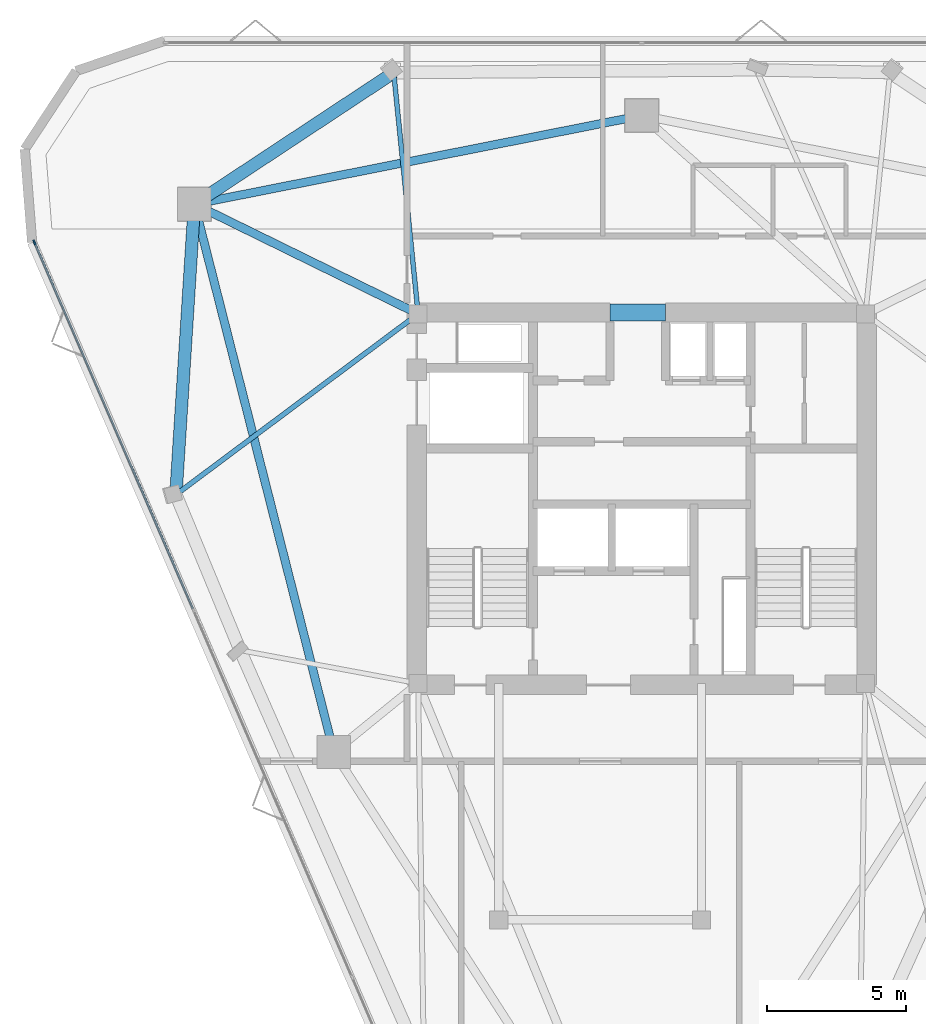
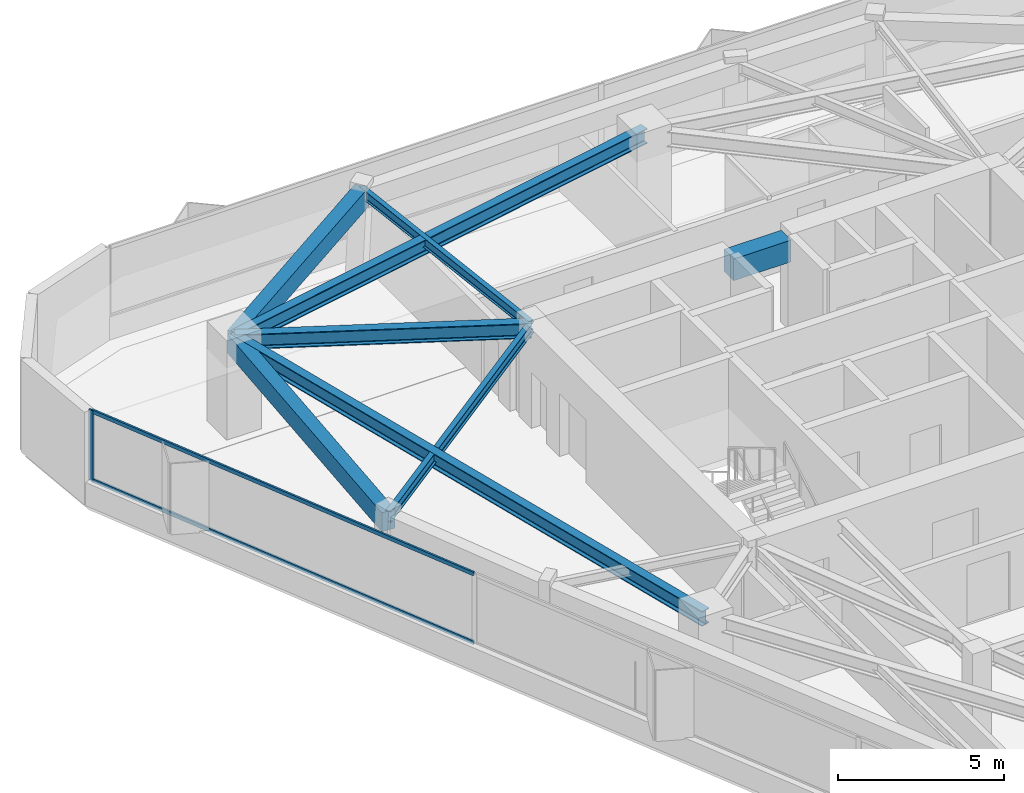
# One storey, part 5 of 12: 8 beams, 3 members, 1 element without a shape of its own.
"""IFC4 building model written with IfcOpenShell, lengths in metres."""

from ifc_helpers import new_model, si_unit, direction, frame, origin, origin_2d, place, context, subcontext, project, spatial, rectangle, i_section, extrude, material, layer, layer_set, material_profile, profile_set, type_object, element, aggregate, save


model = new_model("IFC4")

# Units and contexts
model_context = context("Model", 3, precision=1e-05, world=origin(), true_north=direction((0.0, 1.0)))
body_context = subcontext(model_context, "Body", "Model", "MODEL_VIEW")
ifc_project = project(units=[si_unit("LENGTHUNIT", "METRE"), si_unit("AREAUNIT", "SQUARE_METRE"), si_unit("VOLUMEUNIT", "CUBIC_METRE"), si_unit("PLANEANGLEUNIT", "RADIAN"), si_unit("MASSUNIT", "GRAM", prefix="KILO")], contexts=[model_context])

# Site, building, storey
site_placement = place(None, origin())
site = spatial("IfcSite", under=ifc_project, at=site_placement, CompositionType="ELEMENT")
building_placement = place(site_placement, origin())
building = spatial("IfcBuilding", under=site, at=building_placement, Name="Talyreon Biosciences Tower", CompositionType="ELEMENT")
storey_placement = place(building_placement, frame((0.0, 0.0, 268.10009765625)))
storey = spatial("IfcBuildingStorey", under=building, at=storey_placement, Name="L71", CompositionType="ELEMENT", Elevation=268.10009765625)

# Curtain wall, members
ifc_material_1 = material(Name="Thermally broken aluminium and low-E glazing", Category="aluminium")
ifc_layer = layer(ifc_material_1, 0.175048828125)
ifc_layer_set = layer_set([ifc_layer], Name="Thermally broken aluminium and low-E glazing")
curtain_wall_type = type_object("IfcCurtainWallType", Name="CurtainWall_Zone5CompLab", PredefinedType="NOTDEFINED", material=ifc_layer_set)
curtain_wall_placement = place(storey_placement, origin())
curtain_wall = element("IfcCurtainWall", 1, at=curtain_wall_placement, inside=storey, type_object=curtain_wall_type, Name="L71 Unitised Curtain Wall FCW-L71-00", PredefinedType="NOTDEFINED")
ifc_material_2 = material(Name="Anodised thermally broken aluminium", Category="aluminium")
ifc_material_profile_1 = material_profile(ifc_material_2, rectangle(XDim=0.06494140625, YDim=0.179931640625, at=origin_2d()), Name="ALUM MULLION 65x180")
ifc_profile_set_1 = profile_set([ifc_material_profile_1], Name="Anodised thermally broken aluminium")
member_type_1 = type_object("IfcMemberType", Name="CWMullion_65x180", PredefinedType="MULLION", material=ifc_profile_set_1)
member_1_placement = place(storey_placement, frame((44.140380859375, 77.22216796875, 0.809814453125), z_axis=(0.0, 0.0, 1.0), x_axis=(-0.917867616895, -0.396886681377, 0.0)))
member_1 = element("IfcMember", 2, at=member_1_placement, type_object=member_type_1, Name="CW6 mullion 4", PredefinedType="MULLION", context=body_context, shape_type="SweptSolid", body=[
    extrude(rectangle(XDim=0.06494140625, YDim=0.179931640625, at=origin_2d()), origin(), (0.0, 0.0, 1.0), 2.590087890625),
])
ifc_material_profile_2 = material_profile(ifc_material_2, rectangle(XDim=0.06494140625, YDim=0.139892578125, at=origin_2d()), Name="ALUM TRANSOM 65x140")
ifc_profile_set_2 = profile_set([ifc_material_profile_2], Name="Anodised thermally broken aluminium")
member_type_2 = type_object("IfcMemberType", Name="CWTransom_65x140", PredefinedType="USERDEFINED", material=ifc_profile_set_2)
member_2_placement = place(storey_placement, frame((49.8388671875, 64.04345703125, 0.84228515625), z_axis=(-0.396897569259, 0.91786290889, 0.0), x_axis=(-0.91786290889, -0.396897569259, 0.0)))
member_2 = element("IfcMember", 3, at=member_2_placement, type_object=member_type_2, Name="CW6 transom 3.1", ObjectType="TRANSOM", PredefinedType="USERDEFINED", context=body_context, shape_type="SweptSolid", body=[
    extrude(rectangle(XDim=0.06494140625, YDim=0.139892578125, at=origin_2d()), origin(), (0.0, 0.0, 1.0), 14.32568359375),
])
member_3_placement = place(storey_placement, frame((49.8388671875, 64.04345703125, 3.367431640625), z_axis=(-0.396897569259, 0.91786290889, 0.0), x_axis=(-0.91786290889, -0.396897569259, 0.0)))
member_3 = element("IfcMember", 4, at=member_3_placement, type_object=member_type_2, Name="CW6 transom 3.2", ObjectType="TRANSOM", PredefinedType="USERDEFINED", context=body_context, shape_type="SweptSolid", body=[
    extrude(rectangle(XDim=0.06494140625, YDim=0.139892578125, at=origin_2d()), origin(), (0.0, 0.0, 1.0), 14.32568359375),
])
aggregate(curtain_wall, [member_1, member_2, member_3])

# Beams
ifc_material_3 = material(Name="Concrete C50/60", Category="concrete")
ifc_material_profile_3 = material_profile(ifc_material_3, rectangle(XDim=0.60009765625, YDim=0.800048828125, at=origin_2d()), Name="RCB 600x800")
ifc_profile_set_3 = profile_set([ifc_material_profile_3], Name="Concrete C50/60")
beam_type_1 = type_object("IfcBeamType", Name="CoreCouplingLintel_600x800", PredefinedType="LINTEL", material=ifc_profile_set_3)
beam_1_placement = place(storey_placement, frame((64.85009765625, 74.699951171875, 3.0), z_axis=(1.0, 0.0, 0.0), x_axis=(0.0, 1.0, 0.0)))
element("IfcBeam", 5, at=beam_1_placement, inside=storey, type_object=beam_type_1, Name="L71 Core Coupling Lintel", PredefinedType="LINTEL", context=body_context, shape_type="SweptSolid", body=[
    extrude(rectangle(XDim=0.60009765625, YDim=0.800048828125, at=origin_2d()), origin(), (0.0, 0.0, 1.0), 2.0),
])
ifc_material_4 = material(Name="Precast concrete C45/55", Category="concrete")
ifc_material_profile_4 = material_profile(ifc_material_4, rectangle(XDim=0.449951171875, YDim=0.699951171875, at=origin_2d()), Name="RCB 450x700")
ifc_profile_set_4 = profile_set([ifc_material_profile_4], Name="Precast concrete C45/55")
beam_type_2 = type_object("IfcBeamType", Name="ExpressedSpandrel_450x700", PredefinedType="SPANDREL", material=ifc_profile_set_4)
beam_2_placement = place(storey_placement, frame((57.070068359375, 83.333984375, 3.0498046875), z_axis=(-0.834524248519, -0.550971213979, 0.0), x_axis=(0.550971213979, -0.834524248519, 0.0)))
element("IfcBeam", 6, at=beam_2_placement, inside=storey, type_object=beam_type_2, Name="L71 Expressed Horizontal Concrete Spandrel 08", PredefinedType="SPANDREL", context=body_context, shape_type="SweptSolid", body=[
    extrude(rectangle(XDim=0.449951171875, YDim=0.699951171875, at=origin_2d()), origin(), (0.0, 0.0, 1.0), 8.594482421875),
])
beam_3_placement = place(storey_placement, frame((49.897705078125, 78.5986328125, 3.0498046875), z_axis=(-0.063629034106, -0.997973619901, 0.0), x_axis=(0.997973619901, -0.063629034106, 0.0)))
element("IfcBeam", 7, at=beam_3_placement, inside=storey, type_object=beam_type_2, Name="L71 Expressed Horizontal Concrete Spandrel 09", PredefinedType="SPANDREL", context=body_context, shape_type="SweptSolid", body=[
    extrude(rectangle(XDim=0.449951171875, YDim=0.699951171875, at=origin_2d()), origin(), (0.0, 0.0, 1.0), 10.474853515625),
])
ifc_material_5 = material(Name="Steel SM355", Category="steel")
ifc_material_profile_5 = material_profile(ifc_material_5, i_section(OverallWidth=0.300048828125, OverallDepth=0.550048828125, WebThickness=0.014892578125, FlangeThickness=0.029052734375, FilletRadius=0.027099609375, at=origin_2d()), Name="HE550B")
ifc_profile_set_5 = profile_set([ifc_material_profile_5], Name="Steel SM355")
beam_type_3 = type_object("IfcBeamType", Name="SteelBeam_HE550B", PredefinedType="BEAM", material=ifc_profile_set_5)
beam_4_placement = place(storey_placement, frame((66.0, 81.788818359375, 3.125), z_axis=(-0.980933730698, -0.194342522311, 0.0), x_axis=(0.194342522311, -0.980933730698, 0.0)))
element("IfcBeam", 8, at=beam_4_placement, inside=storey, type_object=beam_type_3, Name="L71 Mega-Ring Girder 4", PredefinedType="BEAM", context=body_context, shape_type="SweptSolid", body=[
    extrude(i_section(OverallWidth=0.300048828125, OverallDepth=0.550048828125, WebThickness=0.014892578125, FlangeThickness=0.029052734375, FilletRadius=0.027099609375, at=origin_2d()), origin(), (0.0, 0.0, 1.0), 16.415283203125),
])
beam_5_placement = place(storey_placement, frame((49.897705078125, 78.5986328125, 3.125), z_axis=(0.246537082299, -0.969133358755, 0.0), x_axis=(0.969133358755, 0.246537082299, 0.0)))
element("IfcBeam", 9, at=beam_5_placement, inside=storey, type_object=beam_type_3, Name="L71 Mega-Ring Girder 5", PredefinedType="BEAM", context=body_context, shape_type="SweptSolid", body=[
    extrude(i_section(OverallWidth=0.300048828125, OverallDepth=0.550048828125, WebThickness=0.014892578125, FlangeThickness=0.029052734375, FilletRadius=0.027099609375, at=origin_2d()), origin(), (0.0, 0.0, 1.0), 20.34619140625),
])
beam_6_placement = place(storey_placement, frame((57.949951171875, 74.64990234375, 3.125), z_axis=(-0.897852360314, 0.440296648952, 0.0), x_axis=(-0.440296648952, -0.897852360314, 0.0)))
element("IfcBeam", 10, at=beam_6_placement, inside=storey, type_object=beam_type_3, Name="L71 Radial Primary Girder 5", PredefinedType="BEAM", context=body_context, shape_type="SweptSolid", body=[
    extrude(i_section(OverallWidth=0.300048828125, OverallDepth=0.550048828125, WebThickness=0.014892578125, FlangeThickness=0.029052734375, FilletRadius=0.027099609375, at=origin_2d()), origin(), (0.0, 0.0, 1.0), 8.96826171875),
])
ifc_material_profile_6 = material_profile(ifc_material_5, i_section(OverallWidth=0.169921875, OverallDepth=0.360107421875, WebThickness=0.008056640625, FlangeThickness=0.0126953125, FilletRadius=0.01806640625, at=origin_2d()), Name="IPE360")
ifc_profile_set_6 = profile_set([ifc_material_profile_6], Name="Steel SM355")
beam_type_4 = type_object("IfcBeamType", Name="SteelJoist_IPE360", PredefinedType="JOIST", material=ifc_profile_set_6)
beam_7_placement = place(storey_placement, frame((57.949951171875, 74.64990234375, 3.219970703125), z_axis=(-0.100805225522, 0.994906179751, 0.0), x_axis=(-0.994906179751, -0.100805225522, 0.0)))
element("IfcBeam", 11, at=beam_7_placement, inside=storey, type_object=beam_type_4, Name="L71 Radial Composite Floor Joist PC-N2", PredefinedType="JOIST", context=body_context, shape_type="SweptSolid", body=[
    extrude(i_section(OverallWidth=0.169921875, OverallDepth=0.360107421875, WebThickness=0.008056640625, FlangeThickness=0.0126953125, FilletRadius=0.01806640625, at=origin_2d()), origin(), (0.0, 0.0, 1.0), 8.728515625),
])
ifc_material_profile_7 = material_profile(ifc_material_5, i_section(OverallWidth=0.179931640625, OverallDepth=0.39990234375, WebThickness=0.008544921875, FlangeThickness=0.013427734375, FilletRadius=0.02099609375, at=origin_2d()), Name="IPE400")
ifc_profile_set_7 = profile_set([ifc_material_profile_7], Name="Steel SM355")
beam_type_5 = type_object("IfcBeamType", Name="SteelJoist_IPE400", PredefinedType="JOIST", material=ifc_profile_set_7)
beam_8_placement = place(storey_placement, frame((57.949951171875, 74.64990234375, 3.199951171875), z_axis=(-0.801505682173, -0.597987158261, 0.0), x_axis=(0.597987158261, -0.801505682173, 0.0)))
element("IfcBeam", 12, at=beam_8_placement, inside=storey, type_object=beam_type_5, Name="L71 Radial Composite Floor Joist PC-SW1", PredefinedType="JOIST", context=body_context, shape_type="SweptSolid", body=[
    extrude(i_section(OverallWidth=0.179931640625, OverallDepth=0.39990234375, WebThickness=0.008544921875, FlangeThickness=0.013427734375, FilletRadius=0.02099609375, at=origin_2d()), origin(), (0.0, 0.0, 1.0), 10.8779296875),
])

save(model, "model.ifc")
